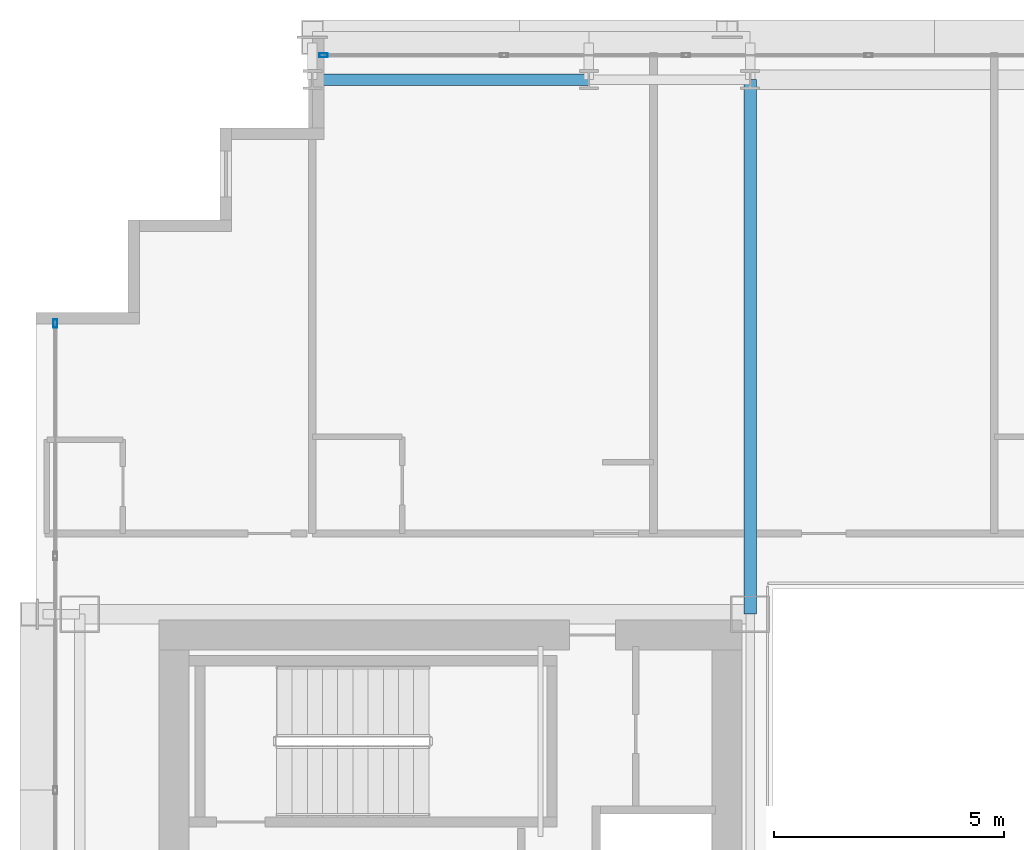
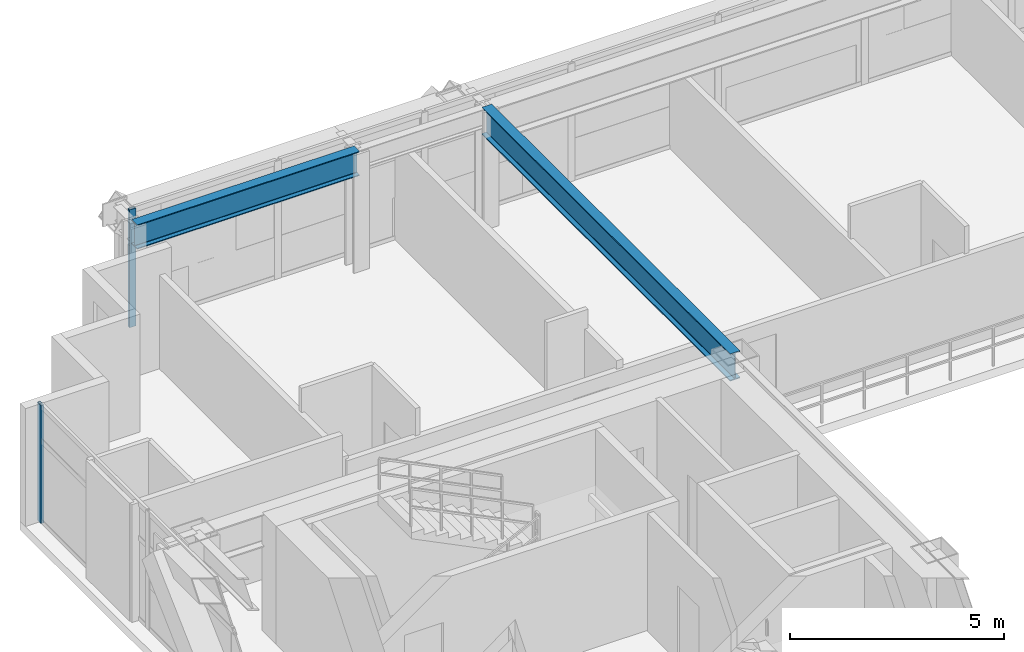
# One storey, part 17 of 34: 2 beams, 2 members, 2 elements without a shape of their own.
"""IFC4 building model written with IfcOpenShell, lengths in metres."""

from ifc_helpers import new_model, si_unit, direction, frame, origin, origin_2d, place, context, subcontext, project, spatial, hollow_rectangle, i_section, extrude, source, transform, mapped, material, layer, layer_set, material_profile, profile_set, type_object, element, aggregate, save


model = new_model("IFC4")

# Units and contexts
model_context = context("Model", 3, precision=1e-05, world=origin(), true_north=direction((0.0, 1.0)))
body_context = subcontext(model_context, "Body", "Model", "MODEL_VIEW")
ifc_project = project(units=[si_unit("LENGTHUNIT", "METRE"), si_unit("AREAUNIT", "SQUARE_METRE"), si_unit("VOLUMEUNIT", "CUBIC_METRE"), si_unit("PLANEANGLEUNIT", "RADIAN"), si_unit("MASSUNIT", "GRAM", prefix="KILO")], contexts=[model_context])

# Site, building, storey
site_placement = place(None, origin())
site = spatial("IfcSite", under=ifc_project, at=site_placement, CompositionType="ELEMENT")
building_placement = place(site_placement, origin())
building = spatial("IfcBuilding", under=site, at=building_placement, Name="Ocotamira Hotel", CompositionType="ELEMENT")
storey_placement = place(building_placement, frame((0.0, 0.0, 108.0)))
storey = spatial("IfcBuildingStorey", under=building, at=storey_placement, Name="L26", CompositionType="ELEMENT", Elevation=108.0)

# Beams
ifc_material_1 = material(Name="Steel ASTM A992 Grade 50", Category="steel")
ifc_material_profile_1 = material_profile(ifc_material_1, i_section(OverallWidth=0.256103515625, OverallDepth=0.693115234375, WebThickness=0.014404296875, FlangeThickness=0.023681640625, FilletRadius=0.01611328125, at=origin_2d()), Name="W27X114")
ifc_profile_set_1 = profile_set([ifc_material_profile_1], Name="Steel ASTM A992 Grade 50")
beam_type_1 = type_object("IfcBeamType", Name="BM-PRIM-W27X114", PredefinedType="BEAM", material=ifc_profile_set_1)
shared_shape_1 = source(origin(), body_context, "Body", "SweptSolid", [
    extrude(i_section(OverallWidth=0.256103515625, OverallDepth=0.693115234375, WebThickness=0.014404296875, FlangeThickness=0.023681640625, FilletRadius=0.01611328125, at=origin_2d()), origin(), (0.0, 0.0, 1.0), 6.0),
])
beam_1_placement = place(storey_placement, frame((14.0, 49.050048828125, 3.013427734375), z_axis=(1.0, 0.0, 0.0), x_axis=(0.0, 1.0, 0.0)))
element("IfcBeam", 1, at=beam_1_placement, inside=storey, type_object=beam_type_1, Name="L26 Girder Y49.05 X14-20", PredefinedType="BEAM", context=body_context, shape_type="MappedRepresentation", body=[
    mapped(shared_shape_1, transform((0.0, 0.0, 0.0), scale=1.0)),
])
ifc_material_profile_2 = material_profile(ifc_material_1, i_section(OverallWidth=0.26611328125, OverallDepth=0.779052734375, WebThickness=0.0166015625, FlangeThickness=0.030029296875, FilletRadius=0.01806640625, at=origin_2d()), Name="W30X148")
ifc_profile_set_2 = profile_set([ifc_material_profile_2], Name="Steel ASTM A992 Grade 50")
beam_type_2 = type_object("IfcBeamType", Name="BM-GIRD-W30X148", PredefinedType="BEAM", material=ifc_profile_set_2)
shared_shape_2 = source(origin(), body_context, "Body", "SweptSolid", [
    extrude(i_section(OverallWidth=0.26611328125, OverallDepth=0.779052734375, WebThickness=0.0166015625, FlangeThickness=0.030029296875, FilletRadius=0.01806640625, at=origin_2d()), origin(), (0.0, 0.0, 1.0), 11.60009765625),
])
beam_2_placement = place(storey_placement, frame((23.5, 37.449951171875, 2.970458984375), z_axis=(0.0, 1.0, 0.0), x_axis=(-1.0, 0.0, 0.0)))
element("IfcBeam", 2, at=beam_2_placement, inside=storey, type_object=beam_type_2, Name="L26 Beam X23.5 Y37.45-49.05", PredefinedType="BEAM", context=body_context, shape_type="MappedRepresentation", body=[
    mapped(shared_shape_2, transform((0.0, 0.0, 0.0), scale=1.0)),
])

# Curtain wall, member
ifc_material_2 = material(Name="Anodised pale-metal aluminium and solar glass", Category="aluminium")
ifc_layer = layer(ifc_material_2, 0.179931640625)
ifc_layer_set = layer_set([ifc_layer], Name="Anodised pale-metal aluminium and solar glass")
curtain_wall_type = type_object("IfcCurtainWallType", Name="CW-SYS3-Z2", PredefinedType="NOTDEFINED", material=ifc_layer_set)
curtain_wall_1_placement = place(storey_placement, origin())
curtain_wall_1 = element("IfcCurtainWall", 3, at=curtain_wall_1_placement, inside=storey, type_object=curtain_wall_type, Name="L26 Curtain Wall CW-3 CW-L26-N", PredefinedType="NOTDEFINED")
ifc_material_3 = material(Name="Anodised pale-metal aluminium 6063-T6", Category="aluminium")
ifc_material_profile_3 = material_profile(ifc_material_3, hollow_rectangle(XDim=0.080078125, YDim=0.179931640625, WallThickness=0.006103515625, at=origin_2d()), Name="HSS180X80X6")
ifc_profile_set_3 = profile_set([ifc_material_profile_3], Name="Anodised pale-metal aluminium 6063-T6")
member_type = type_object("IfcMemberType", Name="CWM-180X75", PredefinedType="MULLION", material=ifc_profile_set_3)
shared_shape_3 = source(origin(), body_context, "Body", "SweptSolid", [
    extrude(hollow_rectangle(XDim=0.080078125, YDim=0.179931640625, WallThickness=0.006103515625, at=origin_2d()), origin(), (0.0, 0.0, 1.0), 3.360107421875),
])
member_1_placement = place(storey_placement, frame((14.239990234375, 49.580078125, 0.0), z_axis=(0.0, 0.0, 1.0), x_axis=(0.0, 1.0, 0.0)))
member_1 = element("IfcMember", 4, at=member_1_placement, type_object=member_type, Name="CW-3 mullion 1", PredefinedType="MULLION", context=body_context, shape_type="MappedRepresentation", body=[
    mapped(shared_shape_3, transform((0.0, 0.0, 0.0), scale=1.0)),
])
aggregate(curtain_wall_1, [member_1])

curtain_wall_2_placement = place(storey_placement, origin())
curtain_wall_2 = element("IfcCurtainWall", 5, at=curtain_wall_2_placement, inside=storey, type_object=curtain_wall_type, Name="L26 Curtain Wall CW-3 CW-L26-W", PredefinedType="NOTDEFINED")
member_2_placement = place(storey_placement, frame((8.419921875, 43.760009765625, 0.0), z_axis=(0.0, 0.0, 1.0), x_axis=(-1.0, 0.0, 0.0)))
member_2 = element("IfcMember", 6, at=member_2_placement, type_object=member_type, Name="CW-3 mullion 8", PredefinedType="MULLION", context=body_context, shape_type="MappedRepresentation", body=[
    mapped(shared_shape_3, transform((0.0, 0.0, 0.0), scale=1.0)),
])
aggregate(curtain_wall_2, [member_2])

save(model, "model.ifc")
